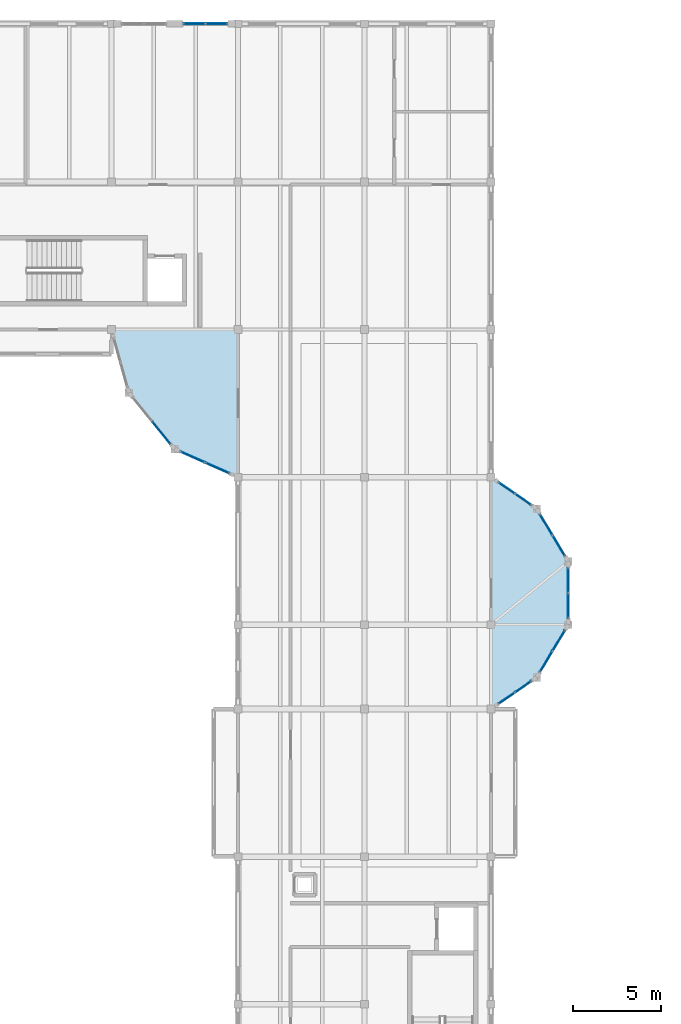
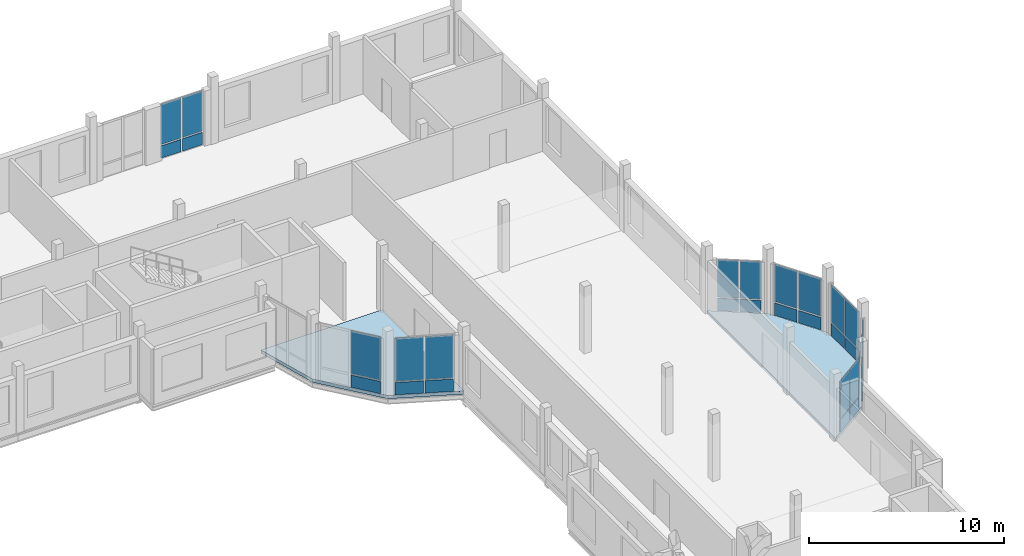
# One storey, part 40 of 81: 30 plates, 2 slabs, 8 elements without a shape of their own.
"""IFC4 building model written with IfcOpenShell, lengths in metres."""

from ifc_helpers import new_model, si_unit, direction, frame, origin, origin_2d, place, context, subcontext, project, spatial, polyline, rectangle, outline, extrude, material, layer, layer_set, type_object, element, aggregate, save


model = new_model("IFC4")

# Units and contexts
model_context = context("Model", 3, precision=1e-05, world=origin(), true_north=direction((0.0, 1.0)))
body_context = subcontext(model_context, "Body", "Model", "MODEL_VIEW")
ifc_project = project(units=[si_unit("LENGTHUNIT", "METRE"), si_unit("AREAUNIT", "SQUARE_METRE"), si_unit("VOLUMEUNIT", "CUBIC_METRE"), si_unit("PLANEANGLEUNIT", "RADIAN"), si_unit("MASSUNIT", "GRAM", prefix="KILO")], contexts=[model_context])

# Site, building, storey
site_placement = place(None, origin())
site = spatial("IfcSite", under=ifc_project, at=site_placement, CompositionType="ELEMENT")
building_placement = place(site_placement, origin())
building = spatial("IfcBuilding", under=site, at=building_placement, Name="Kahlenmark Community Centre", CompositionType="ELEMENT")
storey_placement = place(building_placement, frame((0.0, 0.0, 9.60009765625)))
storey = spatial("IfcBuildingStorey", under=building, at=storey_placement, Name="L02", CompositionType="ELEMENT", Elevation=9.60009765625)

# Curtain wall, plates
ifc_material_1 = material(Name="Anodised aluminium unitised curtain wall", Category="aluminium")
curtain_wall_type_1 = type_object("IfcCurtainWallType", Name="CWT-UNIT-232X327", PredefinedType="USERDEFINED", material=ifc_material_1)
curtain_wall_1_placement = place(storey_placement, origin())
curtain_wall_1 = element("IfcCurtainWall", 1, at=curtain_wall_1_placement, inside=storey, type_object=curtain_wall_type_1, Name="Unitised curtain wall CW-156", ObjectType="UNITISED CURTAIN WALL", PredefinedType="USERDEFINED")
ifc_material_2 = material(Name="Triple low-e solar-control glass unit", Category="glass")
ifc_layer_1 = layer(ifc_material_2, 0.0439453125)
ifc_layer_set_1 = layer_set([ifc_layer_1], Name="Triple low-e solar-control glass unit")
plate_type_1 = type_object("IfcPlateType", Name="PLT-CW-GLZ-1081X2340", PredefinedType="CURTAIN_PANEL", material=ifc_layer_set_1)
plate_1_placement = place(storey_placement, frame((87.6884765625, 76.614990234375, 0.8896484375), z_axis=(0.0, 0.0, 1.0), x_axis=(0.822190736534, 0.56921208065, 0.0)))
plate_1 = element("IfcPlate", 2, at=plate_1_placement, type_object=plate_type_1, Name="CW-156 glazed panel 1", PredefinedType="CURTAIN_PANEL", context=body_context, shape_type="SweptSolid", body=[
    extrude(rectangle(XDim=1.081298828125, YDim=0.0439453125, at=origin_2d()), origin(), (0.0, 0.0, 1.0), 2.340087890625),
])
plate_2_placement = place(storey_placement, frame((88.643310546875, 77.27587890625, 0.8896484375), z_axis=(0.0, 0.0, 1.0), x_axis=(0.822190736534, 0.56921208065, 0.0)))
plate_2 = element("IfcPlate", 3, at=plate_2_placement, type_object=plate_type_1, Name="CW-156 glazed panel 2", PredefinedType="CURTAIN_PANEL", context=body_context, shape_type="SweptSolid", body=[
    extrude(rectangle(XDim=1.081298828125, YDim=0.0439453125, at=origin_2d()), origin(), (0.0, 0.0, 1.0), 2.340087890625),
])

curtain_wall_2_placement = place(storey_placement, origin())
curtain_wall_2 = element("IfcCurtainWall", 4, at=curtain_wall_2_placement, inside=storey, type_object=curtain_wall_type_1, Name="Unitised curtain wall CW-160", ObjectType="UNITISED CURTAIN WALL", PredefinedType="USERDEFINED")
plate_3_placement = place(storey_placement, frame((88.643310546875, 87.924072265625, 0.8896484375), z_axis=(0.0, 0.0, 1.0), x_axis=(-0.822190736534, 0.56921208065, 0.0)))
plate_3 = element("IfcPlate", 5, at=plate_3_placement, type_object=plate_type_1, Name="CW-160 glazed panel 1", PredefinedType="CURTAIN_PANEL", context=body_context, shape_type="SweptSolid", body=[
    extrude(rectangle(XDim=1.081298828125, YDim=0.0439453125, at=origin_2d()), origin(), (0.0, 0.0, 1.0), 2.340087890625),
])
plate_4_placement = place(storey_placement, frame((87.6884765625, 88.5849609375, 0.8896484375), z_axis=(0.0, 0.0, 1.0), x_axis=(-0.822190736534, 0.56921208065, 0.0)))
plate_4 = element("IfcPlate", 6, at=plate_4_placement, type_object=plate_type_1, Name="CW-160 glazed panel 2", PredefinedType="CURTAIN_PANEL", context=body_context, shape_type="SweptSolid", body=[
    extrude(rectangle(XDim=1.081298828125, YDim=0.0439453125, at=origin_2d()), origin(), (0.0, 0.0, 1.0), 2.340087890625),
])

curtain_wall_type_2 = type_object("IfcCurtainWallType", Name="CWT-UNIT-254X345", PredefinedType="USERDEFINED", material=ifc_material_1)
curtain_wall_3_placement = place(storey_placement, origin())
curtain_wall_3 = element("IfcCurtainWall", 7, at=curtain_wall_3_placement, inside=storey, type_object=curtain_wall_type_2, Name="Unitised curtain wall CW-095", ObjectType="UNITISED CURTAIN WALL", PredefinedType="USERDEFINED")
ifc_layer_2 = layer(ifc_material_2, 0.0439453125)
ifc_layer_set_2 = layer_set([ifc_layer_2], Name="Triple low-e solar-control glass unit")
plate_type_2 = type_object("IfcPlateType", Name="PLT-CW-GLZ-1190X2520", PredefinedType="CURTAIN_PANEL", material=ifc_layer_set_2)
plate_5_placement = place(storey_placement, frame((71.18505859375, 115.0, 0.889892578125), z_axis=(0.0, 0.0, 1.0), x_axis=(-1.0, 0.0, 0.0)))
plate_5 = element("IfcPlate", 8, at=plate_5_placement, type_object=plate_type_2, Name="CW-095 glazed panel 1", PredefinedType="CURTAIN_PANEL", context=body_context, shape_type="SweptSolid", body=[
    extrude(rectangle(XDim=1.18994140625, YDim=0.0439453125, at=origin_2d()), origin(), (0.0, 0.0, 1.0), 2.52001953125),
])
plate_6_placement = place(storey_placement, frame((69.9150390625, 115.0, 0.889892578125), z_axis=(0.0, 0.0, 1.0), x_axis=(-1.0, 0.0, 0.0)))
plate_6 = element("IfcPlate", 9, at=plate_6_placement, type_object=plate_type_2, Name="CW-095 glazed panel 2", PredefinedType="CURTAIN_PANEL", context=body_context, shape_type="SweptSolid", body=[
    extrude(rectangle(XDim=1.18994140625, YDim=0.0439453125, at=origin_2d()), origin(), (0.0, 0.0, 1.0), 2.52001953125),
])

curtain_wall_type_3 = type_object("IfcCurtainWallType", Name="CWT-UNIT-282X327", PredefinedType="USERDEFINED", material=ifc_material_1)
curtain_wall_4_placement = place(storey_placement, origin())
curtain_wall_4 = element("IfcCurtainWall", 10, at=curtain_wall_4_placement, inside=storey, type_object=curtain_wall_type_3, Name="Unitised curtain wall CW-157", ObjectType="UNITISED CURTAIN WALL", PredefinedType="USERDEFINED")
ifc_layer_3 = layer(ifc_material_2, 0.0439453125)
ifc_layer_set_3 = layer_set([ifc_layer_3], Name="Triple low-e solar-control glass unit")
plate_type_3 = type_object("IfcPlateType", Name="PLT-CW-GLZ-1329X2340", PredefinedType="CURTAIN_PANEL", material=ifc_layer_set_3)
plate_7_placement = place(storey_placement, frame((89.9375, 78.69580078125, 0.8896484375), z_axis=(0.0, 0.0, 1.0), x_axis=(0.514496405972, 0.857492535386, 0.0)))
plate_7 = element("IfcPlate", 11, at=plate_7_placement, type_object=plate_type_3, Name="CW-157 glazed panel 1", PredefinedType="CURTAIN_PANEL", context=body_context, shape_type="SweptSolid", body=[
    extrude(rectangle(XDim=1.329345703125, YDim=0.0439453125, at=origin_2d()), origin(), (0.0, 0.0, 1.0), 2.340087890625),
])
plate_8_placement = place(storey_placement, frame((90.66259765625, 79.904296875, 0.8896484375), z_axis=(0.0, 0.0, 1.0), x_axis=(0.514496405972, 0.857492535386, 0.0)))
plate_8 = element("IfcPlate", 12, at=plate_8_placement, type_object=plate_type_3, Name="CW-157 glazed panel 2", PredefinedType="CURTAIN_PANEL", context=body_context, shape_type="SweptSolid", body=[
    extrude(rectangle(XDim=1.329345703125, YDim=0.0439453125, at=origin_2d()), origin(), (0.0, 0.0, 1.0), 2.340087890625),
])

curtain_wall_5_placement = place(storey_placement, origin())
curtain_wall_5 = element("IfcCurtainWall", 13, at=curtain_wall_5_placement, inside=storey, type_object=curtain_wall_type_3, Name="Unitised curtain wall CW-159", ObjectType="UNITISED CURTAIN WALL", PredefinedType="USERDEFINED")
plate_9_placement = place(storey_placement, frame((90.66259765625, 85.295654296875, 0.8896484375), z_axis=(0.0, 0.0, 1.0), x_axis=(-0.514496405972, 0.857492535386, 0.0)))
plate_9 = element("IfcPlate", 14, at=plate_9_placement, type_object=plate_type_3, Name="CW-159 glazed panel 1", PredefinedType="CURTAIN_PANEL", context=body_context, shape_type="SweptSolid", body=[
    extrude(rectangle(XDim=1.329345703125, YDim=0.0439453125, at=origin_2d()), origin(), (0.0, 0.0, 1.0), 2.340087890625),
])
plate_10_placement = place(storey_placement, frame((89.9375, 86.504150390625, 0.8896484375), z_axis=(0.0, 0.0, 1.0), x_axis=(-0.514496405972, 0.857492535386, 0.0)))
plate_10 = element("IfcPlate", 15, at=plate_10_placement, type_object=plate_type_3, Name="CW-159 glazed panel 2", PredefinedType="CURTAIN_PANEL", context=body_context, shape_type="SweptSolid", body=[
    extrude(rectangle(XDim=1.329345703125, YDim=0.0439453125, at=origin_2d()), origin(), (0.0, 0.0, 1.0), 2.340087890625),
])

curtain_wall_type_4 = type_object("IfcCurtainWallType", Name="CWT-UNIT-292X327", PredefinedType="USERDEFINED", material=ifc_material_1)
curtain_wall_6_placement = place(storey_placement, origin())
curtain_wall_6 = element("IfcCurtainWall", 16, at=curtain_wall_6_placement, inside=storey, type_object=curtain_wall_type_4, Name="Unitised curtain wall CW-158", ObjectType="UNITISED CURTAIN WALL", PredefinedType="USERDEFINED")
ifc_layer_4 = layer(ifc_material_2, 0.0439453125)
ifc_layer_set_4 = layer_set([ifc_layer_4], Name="Triple low-e solar-control glass unit")
plate_type_4 = type_object("IfcPlateType", Name="PLT-CW-GLZ-1380X2340", PredefinedType="CURTAIN_PANEL", material=ifc_layer_set_4)
plate_11_placement = place(storey_placement, frame((91.199951171875, 81.8701171875, 0.8896484375), z_axis=(0.0, 0.0, 1.0), x_axis=(0.0, 1.0, 0.0)))
plate_11 = element("IfcPlate", 17, at=plate_11_placement, type_object=plate_type_4, Name="CW-158 glazed panel 1", PredefinedType="CURTAIN_PANEL", context=body_context, shape_type="SweptSolid", body=[
    extrude(rectangle(XDim=1.3798828125, YDim=0.0439453125, at=origin_2d()), origin(), (0.0, 0.0, 1.0), 2.340087890625),
])
plate_12_placement = place(storey_placement, frame((91.199951171875, 83.330078125, 0.8896484375), z_axis=(0.0, 0.0, 1.0), x_axis=(0.0, 1.0, 0.0)))
plate_12 = element("IfcPlate", 18, at=plate_12_placement, type_object=plate_type_4, Name="CW-158 glazed panel 2", PredefinedType="CURTAIN_PANEL", context=body_context, shape_type="SweptSolid", body=[
    extrude(rectangle(XDim=1.3798828125, YDim=0.0439453125, at=origin_2d()), origin(), (0.0, 0.0, 1.0), 2.340087890625),
])

curtain_wall_type_5 = type_object("IfcCurtainWallType", Name="CWT-UNIT-310X361", PredefinedType="USERDEFINED", material=ifc_material_1)
curtain_wall_7_placement = place(storey_placement, origin())
curtain_wall_7 = element("IfcCurtainWall", 19, at=curtain_wall_7_placement, inside=storey, type_object=curtain_wall_type_5, Name="Unitised curtain wall CW-181", ObjectType="UNITISED CURTAIN WALL", PredefinedType="USERDEFINED")
ifc_layer_5 = layer(ifc_material_2, 0.0439453125)
ifc_layer_set_5 = layer_set([ifc_layer_5], Name="Triple low-e solar-control glass unit")
plate_type_5 = type_object("IfcPlateType", Name="PLT-CW-GLZ-1470X2680", PredefinedType="CURTAIN_PANEL", material=ifc_layer_set_5)
plate_13_placement = place(storey_placement, frame((69.81884765625, 90.34716796875, 0.89013671875), z_axis=(0.0, 0.0, 1.0), x_axis=(0.913817141143, -0.406125882643, 0.0)))
plate_13 = element("IfcPlate", 20, at=plate_13_placement, type_object=plate_type_5, Name="CW-181 glazed panel 1", PredefinedType="CURTAIN_PANEL", context=body_context, shape_type="SweptSolid", body=[
    extrude(rectangle(XDim=1.4697265625, YDim=0.0439453125, at=origin_2d()), origin(), (0.0, 0.0, 1.0), 2.679931640625),
])
plate_14_placement = place(storey_placement, frame((71.235107421875, 89.7177734375, 0.89013671875), z_axis=(0.0, 0.0, 1.0), x_axis=(0.913817141143, -0.406125882643, 0.0)))
plate_14 = element("IfcPlate", 21, at=plate_14_placement, type_object=plate_type_5, Name="CW-181 glazed panel 2", PredefinedType="CURTAIN_PANEL", context=body_context, shape_type="SweptSolid", body=[
    extrude(rectangle(XDim=1.4697265625, YDim=0.0439453125, at=origin_2d()), origin(), (0.0, 0.0, 1.0), 2.679931640625),
])

# Curtain wall, plate
curtain_wall_type_6 = type_object("IfcCurtainWallType", Name="CWT-UNIT-344X361", PredefinedType="USERDEFINED", material=ifc_material_1)
curtain_wall_8_placement = place(storey_placement, origin())
curtain_wall_8 = element("IfcCurtainWall", 22, at=curtain_wall_8_placement, inside=storey, type_object=curtain_wall_type_6, Name="Unitised curtain wall CW-180", ObjectType="UNITISED CURTAIN WALL", PredefinedType="USERDEFINED")
ifc_layer_6 = layer(ifc_material_2, 0.0439453125)
ifc_layer_set_6 = layer_set([ifc_layer_6], Name="Triple low-e solar-control glass unit")
plate_type_6 = type_object("IfcPlateType", Name="PLT-CW-GLZ-1642X2680", PredefinedType="CURTAIN_PANEL", material=ifc_layer_set_6)
plate_15_placement = place(storey_placement, frame((68.042724609375, 91.73193359375, 0.89013671875), z_axis=(0.0, 0.0, 1.0), x_axis=(0.63059860029, -0.776109145231, 0.0)))
plate_15 = element("IfcPlate", 23, at=plate_15_placement, type_object=plate_type_6, Name="CW-180 glazed panel 2", PredefinedType="CURTAIN_PANEL", context=body_context, shape_type="SweptSolid", body=[
    extrude(rectangle(XDim=1.6416015625, YDim=0.0439453125, at=origin_2d()), origin(), (0.0, 0.0, 1.0), 2.679931640625),
])

# Plate
ifc_material_3 = material(Name="Warm terracotta insulated spandrel cassette", Category="masonry")
ifc_layer_7 = layer(ifc_material_3, 0.06005859375)
ifc_layer_set_7 = layer_set([ifc_layer_7], Name="Warm terracotta insulated spandrel cassette")
plate_type_7 = type_object("IfcPlateType", Name="PLT-CW-SPD-1081X770", PredefinedType="CURTAIN_PANEL", material=ifc_layer_set_7)
plate_16_placement = place(storey_placement, frame((87.6884765625, 76.614990234375, 0.039794921875), z_axis=(0.0, 0.0, 1.0), x_axis=(0.822190736534, 0.56921208065, 0.0)))
plate_16 = element("IfcPlate", 24, at=plate_16_placement, type_object=plate_type_7, Name="CW-156 spandrel 1", PredefinedType="CURTAIN_PANEL", context=body_context, shape_type="SweptSolid", body=[
    extrude(rectangle(XDim=1.081298828125, YDim=0.06005859375, at=origin_2d()), origin(), (0.0, 0.0, 1.0), 0.77001953125),
])

plate_17_placement = place(storey_placement, frame((88.643310546875, 77.27587890625, 0.039794921875), z_axis=(0.0, 0.0, 1.0), x_axis=(0.822190736534, 0.56921208065, 0.0)))
plate_17 = element("IfcPlate", 25, at=plate_17_placement, type_object=plate_type_7, Name="CW-156 spandrel 2", PredefinedType="CURTAIN_PANEL", context=body_context, shape_type="SweptSolid", body=[
    extrude(rectangle(XDim=1.081298828125, YDim=0.06005859375, at=origin_2d()), origin(), (0.0, 0.0, 1.0), 0.77001953125),
])

aggregate(curtain_wall_1, [plate_16, plate_1, plate_17, plate_2])

plate_18_placement = place(storey_placement, frame((88.643310546875, 87.924072265625, 0.039794921875), z_axis=(0.0, 0.0, 1.0), x_axis=(-0.822190736534, 0.56921208065, 0.0)))
plate_18 = element("IfcPlate", 26, at=plate_18_placement, type_object=plate_type_7, Name="CW-160 spandrel 1", PredefinedType="CURTAIN_PANEL", context=body_context, shape_type="SweptSolid", body=[
    extrude(rectangle(XDim=1.081298828125, YDim=0.06005859375, at=origin_2d()), origin(), (0.0, 0.0, 1.0), 0.77001953125),
])

plate_19_placement = place(storey_placement, frame((87.6884765625, 88.5849609375, 0.039794921875), z_axis=(0.0, 0.0, 1.0), x_axis=(-0.822190736534, 0.56921208065, 0.0)))
plate_19 = element("IfcPlate", 27, at=plate_19_placement, type_object=plate_type_7, Name="CW-160 spandrel 2", PredefinedType="CURTAIN_PANEL", context=body_context, shape_type="SweptSolid", body=[
    extrude(rectangle(XDim=1.081298828125, YDim=0.06005859375, at=origin_2d()), origin(), (0.0, 0.0, 1.0), 0.77001953125),
])

aggregate(curtain_wall_2, [plate_18, plate_3, plate_19, plate_4])

ifc_layer_8 = layer(ifc_material_3, 0.06005859375)
ifc_layer_set_8 = layer_set([ifc_layer_8], Name="Warm terracotta insulated spandrel cassette")
plate_type_8 = type_object("IfcPlateType", Name="PLT-CW-SPD-1190X770", PredefinedType="CURTAIN_PANEL", material=ifc_layer_set_8)
plate_20_placement = place(storey_placement, frame((71.18505859375, 115.0, 0.039794921875), z_axis=(0.0, 0.0, 1.0), x_axis=(-1.0, 0.0, 0.0)))
plate_20 = element("IfcPlate", 28, at=plate_20_placement, type_object=plate_type_8, Name="CW-095 spandrel 1", PredefinedType="CURTAIN_PANEL", context=body_context, shape_type="SweptSolid", body=[
    extrude(rectangle(XDim=1.18994140625, YDim=0.06005859375, at=origin_2d()), origin(), (0.0, 0.0, 1.0), 0.77001953125),
])

plate_21_placement = place(storey_placement, frame((69.9150390625, 115.0, 0.039794921875), z_axis=(0.0, 0.0, 1.0), x_axis=(-1.0, 0.0, 0.0)))
plate_21 = element("IfcPlate", 29, at=plate_21_placement, type_object=plate_type_8, Name="CW-095 spandrel 2", PredefinedType="CURTAIN_PANEL", context=body_context, shape_type="SweptSolid", body=[
    extrude(rectangle(XDim=1.18994140625, YDim=0.06005859375, at=origin_2d()), origin(), (0.0, 0.0, 1.0), 0.77001953125),
])

aggregate(curtain_wall_3, [plate_20, plate_5, plate_21, plate_6])

ifc_layer_9 = layer(ifc_material_3, 0.06005859375)
ifc_layer_set_9 = layer_set([ifc_layer_9], Name="Warm terracotta insulated spandrel cassette")
plate_type_9 = type_object("IfcPlateType", Name="PLT-CW-SPD-1329X770", PredefinedType="CURTAIN_PANEL", material=ifc_layer_set_9)
plate_22_placement = place(storey_placement, frame((89.9375, 78.69580078125, 0.039794921875), z_axis=(0.0, 0.0, 1.0), x_axis=(0.514496405972, 0.857492535386, 0.0)))
plate_22 = element("IfcPlate", 30, at=plate_22_placement, type_object=plate_type_9, Name="CW-157 spandrel 1", PredefinedType="CURTAIN_PANEL", context=body_context, shape_type="SweptSolid", body=[
    extrude(rectangle(XDim=1.329345703125, YDim=0.06005859375, at=origin_2d()), origin(), (0.0, 0.0, 1.0), 0.77001953125),
])

plate_23_placement = place(storey_placement, frame((90.66259765625, 79.904296875, 0.039794921875), z_axis=(0.0, 0.0, 1.0), x_axis=(0.514496405972, 0.857492535386, 0.0)))
plate_23 = element("IfcPlate", 31, at=plate_23_placement, type_object=plate_type_9, Name="CW-157 spandrel 2", PredefinedType="CURTAIN_PANEL", context=body_context, shape_type="SweptSolid", body=[
    extrude(rectangle(XDim=1.329345703125, YDim=0.06005859375, at=origin_2d()), origin(), (0.0, 0.0, 1.0), 0.77001953125),
])

aggregate(curtain_wall_4, [plate_22, plate_7, plate_23, plate_8])

plate_24_placement = place(storey_placement, frame((90.66259765625, 85.295654296875, 0.039794921875), z_axis=(0.0, 0.0, 1.0), x_axis=(-0.514496405972, 0.857492535386, 0.0)))
plate_24 = element("IfcPlate", 32, at=plate_24_placement, type_object=plate_type_9, Name="CW-159 spandrel 1", PredefinedType="CURTAIN_PANEL", context=body_context, shape_type="SweptSolid", body=[
    extrude(rectangle(XDim=1.329345703125, YDim=0.06005859375, at=origin_2d()), origin(), (0.0, 0.0, 1.0), 0.77001953125),
])

plate_25_placement = place(storey_placement, frame((89.9375, 86.504150390625, 0.039794921875), z_axis=(0.0, 0.0, 1.0), x_axis=(-0.514496405972, 0.857492535386, 0.0)))
plate_25 = element("IfcPlate", 33, at=plate_25_placement, type_object=plate_type_9, Name="CW-159 spandrel 2", PredefinedType="CURTAIN_PANEL", context=body_context, shape_type="SweptSolid", body=[
    extrude(rectangle(XDim=1.329345703125, YDim=0.06005859375, at=origin_2d()), origin(), (0.0, 0.0, 1.0), 0.77001953125),
])

aggregate(curtain_wall_5, [plate_24, plate_9, plate_25, plate_10])

ifc_layer_10 = layer(ifc_material_3, 0.06005859375)
ifc_layer_set_10 = layer_set([ifc_layer_10], Name="Warm terracotta insulated spandrel cassette")
plate_type_10 = type_object("IfcPlateType", Name="PLT-CW-SPD-1380X770", PredefinedType="CURTAIN_PANEL", material=ifc_layer_set_10)
plate_26_placement = place(storey_placement, frame((91.199951171875, 81.8701171875, 0.039794921875), z_axis=(0.0, 0.0, 1.0), x_axis=(0.0, 1.0, 0.0)))
plate_26 = element("IfcPlate", 34, at=plate_26_placement, type_object=plate_type_10, Name="CW-158 spandrel 1", PredefinedType="CURTAIN_PANEL", context=body_context, shape_type="SweptSolid", body=[
    extrude(rectangle(XDim=1.3798828125, YDim=0.06005859375, at=origin_2d()), origin(), (0.0, 0.0, 1.0), 0.77001953125),
])

plate_27_placement = place(storey_placement, frame((91.199951171875, 83.330078125, 0.039794921875), z_axis=(0.0, 0.0, 1.0), x_axis=(0.0, 1.0, 0.0)))
plate_27 = element("IfcPlate", 35, at=plate_27_placement, type_object=plate_type_10, Name="CW-158 spandrel 2", PredefinedType="CURTAIN_PANEL", context=body_context, shape_type="SweptSolid", body=[
    extrude(rectangle(XDim=1.3798828125, YDim=0.06005859375, at=origin_2d()), origin(), (0.0, 0.0, 1.0), 0.77001953125),
])

aggregate(curtain_wall_6, [plate_26, plate_11, plate_27, plate_12])

ifc_layer_11 = layer(ifc_material_3, 0.06005859375)
ifc_layer_set_11 = layer_set([ifc_layer_11], Name="Warm terracotta insulated spandrel cassette")
plate_type_11 = type_object("IfcPlateType", Name="PLT-CW-SPD-1470X770", PredefinedType="CURTAIN_PANEL", material=ifc_layer_set_11)
plate_28_placement = place(storey_placement, frame((69.81884765625, 90.34716796875, 0.039794921875), z_axis=(0.0, 0.0, 1.0), x_axis=(0.913817141143, -0.406125882643, 0.0)))
plate_28 = element("IfcPlate", 36, at=plate_28_placement, type_object=plate_type_11, Name="CW-181 spandrel 1", PredefinedType="CURTAIN_PANEL", context=body_context, shape_type="SweptSolid", body=[
    extrude(rectangle(XDim=1.4697265625, YDim=0.06005859375, at=origin_2d()), origin(), (0.0, 0.0, 1.0), 0.77001953125),
])

plate_29_placement = place(storey_placement, frame((71.235107421875, 89.7177734375, 0.039794921875), z_axis=(0.0, 0.0, 1.0), x_axis=(0.913817141143, -0.406125882643, 0.0)))
plate_29 = element("IfcPlate", 37, at=plate_29_placement, type_object=plate_type_11, Name="CW-181 spandrel 2", PredefinedType="CURTAIN_PANEL", context=body_context, shape_type="SweptSolid", body=[
    extrude(rectangle(XDim=1.4697265625, YDim=0.06005859375, at=origin_2d()), origin(), (0.0, 0.0, 1.0), 0.77001953125),
])

aggregate(curtain_wall_7, [plate_28, plate_13, plate_29, plate_14])

ifc_layer_12 = layer(ifc_material_3, 0.06005859375)
ifc_layer_set_12 = layer_set([ifc_layer_12], Name="Warm terracotta insulated spandrel cassette")
plate_type_12 = type_object("IfcPlateType", Name="PLT-CW-SPD-1642X770", PredefinedType="CURTAIN_PANEL", material=ifc_layer_set_12)
plate_30_placement = place(storey_placement, frame((68.042724609375, 91.73193359375, 0.039794921875), z_axis=(0.0, 0.0, 1.0), x_axis=(0.63059860029, -0.776109145231, 0.0)))
plate_30 = element("IfcPlate", 38, at=plate_30_placement, type_object=plate_type_12, Name="CW-180 spandrel 2", PredefinedType="CURTAIN_PANEL", context=body_context, shape_type="SweptSolid", body=[
    extrude(rectangle(XDim=1.6416015625, YDim=0.06005859375, at=origin_2d()), origin(), (0.0, 0.0, 1.0), 0.77001953125),
])

aggregate(curtain_wall_8, [plate_30, plate_15])

# Slabs
ifc_material_4 = material(Name="Cross-laminated timber CLT C24", Category="wood")
ifc_layer_13 = layer(ifc_material_4, 0.199951171875)
ifc_layer_set_13 = layer_set([ifc_layer_13], Name="Cross-laminated timber CLT C24")
slab_type = type_object("IfcSlabType", Name="ST-FL-CLT200", PredefinedType="FLOOR", material=ifc_layer_set_13)
slab_1_placement = place(storey_placement, frame((0.0, 0.0, -0.2001953125)))
element("IfcSlab", 39, at=slab_1_placement, inside=storey, type_object=slab_type, Name="L02 East Square Postmodern Library Reading Rotunda floor slab", PredefinedType="FLOOR", context=body_context, shape_type="SweptSolid", body=[
    extrude(outline(polyline([(86.800048828125, 76.0), (89.39990234375, 77.800048828125), (91.199951171875, 80.800048828125), (91.199951171875, 84.39990234375), (89.39990234375, 87.39990234375), (86.800048828125, 89.199951171875), (86.800048828125, 76.0)])), origin(), (0.0, 0.0, 1.0), 0.2001953125),
])
slab_2_placement = place(storey_placement, frame((0.0, 0.0, -0.2001953125)))
element("IfcSlab", 40, at=slab_2_placement, inside=storey, type_object=slab_type, Name="L02 Central Courtyard Postmodern Faceted Rotunda Foyer floor slab", PredefinedType="FLOOR", context=body_context, shape_type="SweptSolid", body=[
    extrude(outline(polyline([(65.199951171875, 97.60009765625), (66.199951171875, 94.0), (68.800048828125, 90.800048828125), (72.39990234375, 89.199951171875), (72.39990234375, 97.60009765625), (65.199951171875, 97.60009765625)])), origin(), (0.0, 0.0, 1.0), 0.2001953125),
])

save(model, "model.ifc")
